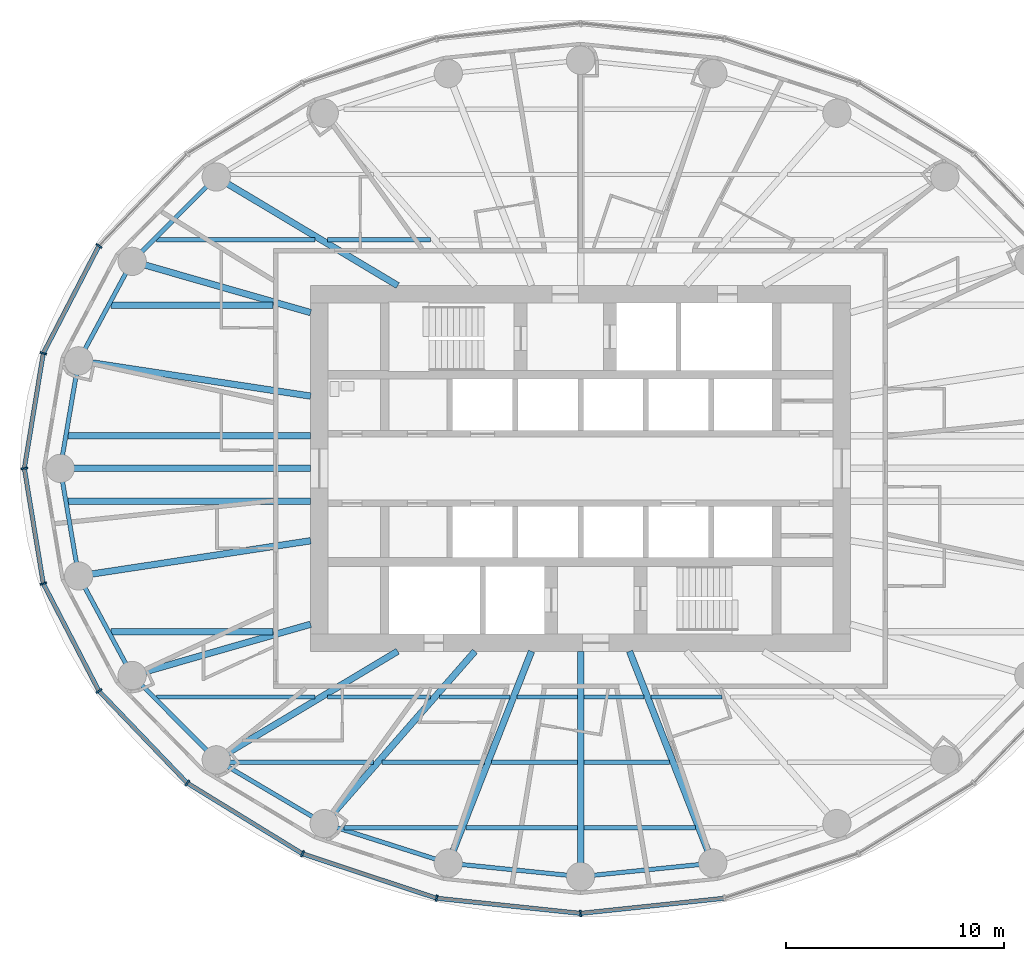
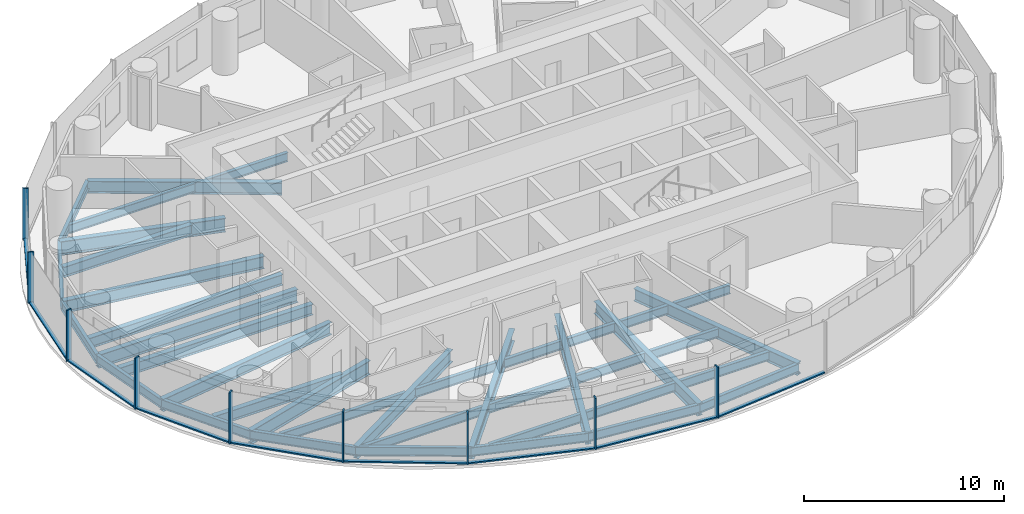
# One storey, part 2 of 14: 40 beams, 18 members, 3 elements without a shape of their own.
"""IFC4 building model written with IfcOpenShell, lengths in metres."""

import ifcopenshell
import ifcopenshell.guid

model = None  # the IFC model being written
_history = None  # IfcOwnerHistory: only IFC2X3 demands one
_inside = {}  # id of a spatial element -> (the spatial element, [elements in it])
_under = {}  # id of a project, library or spatial element -> (it, [spatial elements below it])
_declared = {}  # id of a project -> (the project, [libraries it declares])
_typed = {}  # id of a type object -> (the type object, [elements of that type])
_made_of = {}  # id of a material, layer set ... -> (it, [elements and type objects made of it])


def new_model(schema):
    """Start an empty IFC model of exactly this schema.

    Asked for "IFC4X3", IfcOpenShell would pick the latest addendum, in which some entities
    have other attributes; the version numbers below select the first issue.
    IFC2X3 requires an IfcOwnerHistory on every rooted entity: one is made here for all.
    """
    global model, _history
    if schema == "IFC4X3":
        model = ifcopenshell.file(schema_version=(4, 3, 0, 0))
    else:
        model = ifcopenshell.file(schema=schema)
    _inside.clear()
    _under.clear()
    _declared.clear()
    _typed.clear()
    _made_of.clear()
    _history = None
    if model.schema == "IFC2X3":
        org = make("IfcOrganization", Name="unknown")
        user = make(
            "IfcPersonAndOrganization",
            ThePerson=make("IfcPerson", FamilyName="unknown"),
            TheOrganization=org,
        )
        app = make(
            "IfcApplication",
            ApplicationDeveloper=org,
            Version="unknown",
            ApplicationFullName="unknown",
            ApplicationIdentifier="unknown",
        )
        _history = make(
            "IfcOwnerHistory",
            OwningUser=user,
            OwningApplication=app,
            ChangeAction="ADDED",
            CreationDate=0,
        )
    return model


def make(cls, **values):
    """One entity of the class cls with the attributes given. An attribute that is None is left unset."""
    return model.create_entity(
        cls, **{name: value for name, value in values.items() if value is not None}
    )


def rooted(cls, **values):
    """An entity with a GlobalId (a new one), such as an element, a storey or a relation."""
    return make(cls, GlobalId=ifcopenshell.guid.new(), OwnerHistory=_history, **values)


def si_unit(unit_type, name, prefix=None):
    """IfcSIUnit, for example si_unit("LENGTHUNIT", "METRE", prefix="MILLI")."""
    return make("IfcSIUnit", UnitType=unit_type, Prefix=prefix, Name=name)


def assignment(units):
    """IfcUnitAssignment: the units of a project."""
    return None if units is None else make("IfcUnitAssignment", Units=units)


def point(xyz):
    """IfcCartesianPoint."""
    return None if xyz is None else make("IfcCartesianPoint", Coordinates=xyz)


def direction(xyz):
    """IfcDirection."""
    return None if xyz is None else make("IfcDirection", DirectionRatios=xyz)


def frame(location, z_axis=None, x_axis=None):
    """IfcAxis2Placement3D, a coordinate frame: its origin and axes. An axis left out is left unset."""
    return make(
        "IfcAxis2Placement3D",
        Location=point(location),
        Axis=direction(z_axis),
        RefDirection=direction(x_axis),
    )


def frame_2d(location, x_axis=None):
    """IfcAxis2Placement2D, a coordinate frame in the plane: its origin and x axis."""
    return make(
        "IfcAxis2Placement2D", Location=point(location), RefDirection=direction(x_axis)
    )


def origin():
    """The frame at (0, 0, 0) with its axes left unset."""
    return frame((0.0, 0.0, 0.0))


def origin_2d():
    """The frame at (0, 0) in the plane with its x axis left unset."""
    return frame_2d((0.0, 0.0))


def place(relative_to, where):
    """IfcLocalPlacement: puts the frame where relative to a parent placement (None: the world)."""
    return make(
        "IfcLocalPlacement", PlacementRelTo=relative_to, RelativePlacement=where
    )


def context(
    kind, dimensions, precision=None, world=None, true_north=None, identifier=None
):
    """IfcGeometricRepresentationContext, for example the 3D "Model" context."""
    return make(
        "IfcGeometricRepresentationContext",
        ContextIdentifier=identifier,
        ContextType=kind,
        CoordinateSpaceDimension=dimensions,
        Precision=precision,
        WorldCoordinateSystem=world,
        TrueNorth=true_north,
    )


def subcontext(parent, identifier, kind, view, scale=None):
    """IfcGeometricRepresentationSubContext, for example "Body" below "Model"."""
    return make(
        "IfcGeometricRepresentationSubContext",
        ContextIdentifier=identifier,
        ContextType=kind,
        ParentContext=parent,
        TargetScale=scale,
        TargetView=view,
    )


def project(units=None, contexts=None):
    """IfcProject with its units and contexts."""
    return rooted(
        "IfcProject",
        Name="project",
        RepresentationContexts=contexts,
        UnitsInContext=assignment(units),
    )


def spatial(cls, under=None, at=None, **own):
    """A site, building, storey or space (cls), placed at a placement, below another one or the project."""
    s = rooted(cls, ObjectPlacement=at, **own)
    if under is not None:
        _under.setdefault(under.id(), (under, []))[1].append(s)
    return s


def profile(cls, at=None, kind="AREA", **sizes):
    """A parametric profile (cls). Its sizes go by their IFC names, for example OverallWidth=200.0."""
    return make(cls, ProfileType=kind, Position=at, **sizes)


def rectangle(**sizes):
    """IfcRectangleProfileDef."""
    return profile("IfcRectangleProfileDef", **sizes)


def i_section(**sizes):
    """IfcIShapeProfileDef."""
    return profile("IfcIShapeProfileDef", **sizes)


def extrude(swept, where, along, depth):
    """IfcExtrudedAreaSolid: the profile swept, set in the frame where, extruded along a direction by depth."""
    return make(
        "IfcExtrudedAreaSolid",
        SweptArea=swept,
        Position=where,
        ExtrudedDirection=direction(along),
        Depth=depth,
    )


def shape(context_of_items, identifier, shape_type, items):
    """IfcShapeRepresentation: the items that make up one representation, for example the "Body"."""
    return make(
        "IfcShapeRepresentation",
        ContextOfItems=context_of_items,
        RepresentationIdentifier=identifier,
        RepresentationType=shape_type,
        Items=items,
    )


def material(Name=None, Category=None):
    """IfcMaterial."""
    return make("IfcMaterial", Name=Name, Category=Category)


def material_profile(
    of_material, cross_section, Name=None, Category=None, Priority=None
):
    """IfcMaterialProfile: a cross section and its material."""
    return make(
        "IfcMaterialProfile",
        Name=Name,
        Material=of_material,
        Profile=cross_section,
        Priority=Priority,
        Category=Category,
    )


def profile_set(profiles, Name=None, composite=None):
    """IfcMaterialProfileSet."""
    return make(
        "IfcMaterialProfileSet",
        Name=Name,
        MaterialProfiles=profiles,
        CompositeProfile=composite,
    )


def made_of(thing, what):
    """Note that an element or type object is made of a material, layer set ...; save() writes the relation."""
    if what is not None:
        _made_of.setdefault(what.id(), (what, []))[1].append(thing)
    return thing


def type_object(cls, material=None, **own):
    """A type object (cls), such as IfcWallType, which elements share."""
    return made_of(rooted(cls, **own), material)


def element(
    cls,
    number,
    at=None,
    inside=None,
    cuts=None,
    type_object=None,
    material=None,
    context=None,
    identifier="Body",
    shape_type=None,
    held_by="IfcProductDefinitionShape",
    body=None,
    shapes=None,
    **own,
):
    """One element of the class cls, such as IfcWall. Its Tag is "e" and its number.

    at: its placement. inside: the storey or other place that contains it. cuts: it is an
    opening in that element (IfcRelVoidsElement). A single representation is given by context,
    identifier, shape_type and body (its items); several are given by shapes. held_by: the class
    of the entity that holds the representations. save() writes the other relations.
    """
    e = rooted(cls, Tag="e%d" % number, ObjectPlacement=at, **own)
    if body is not None:
        shapes = [shape(context, identifier, shape_type, body)]
    if shapes is not None:
        e.Representation = make(held_by, Representations=shapes)
    if inside is not None:
        _inside.setdefault(inside.id(), (inside, []))[1].append(e)
    if cuts is not None:
        rooted(
            "IfcRelVoidsElement", RelatingBuildingElement=cuts, RelatedOpeningElement=e
        )
    if type_object is not None:
        _typed.setdefault(type_object.id(), (type_object, []))[1].append(e)
    return made_of(e, material)


def aggregate(whole, parts):
    """IfcRelAggregates: a whole, such as a stair, and the parts it consists of."""
    return rooted("IfcRelAggregates", RelatingObject=whole, RelatedObjects=parts)


def save(model, path):
    """Write the relations noted so far, then the file.

    IfcRelAggregates (storeys below a building ...), IfcRelContainedInSpatialStructure (elements
    in a storey), IfcRelDefinesByType, IfcRelAssociatesMaterial and IfcRelDeclares: one each for
    every whole, place, type object, material and project.
    """
    for whole, parts in _under.values():
        aggregate(whole, parts)
    for where, things in _inside.values():
        rooted(
            "IfcRelContainedInSpatialStructure",
            RelatedElements=things,
            RelatingStructure=where,
        )
    for kind, things in _typed.values():
        rooted("IfcRelDefinesByType", RelatedObjects=things, RelatingType=kind)
    for what, things in _made_of.values():
        rooted("IfcRelAssociatesMaterial", RelatedObjects=things, RelatingMaterial=what)
    for by, libraries in _declared.values():
        rooted("IfcRelDeclares", RelatingContext=by, RelatedDefinitions=libraries)
    model.write(path)


model = new_model("IFC4")

# Units and contexts
model_context = context("Model", 3, precision=1e-05, world=origin(), true_north=direction((0.0, 1.0)))
body_context = subcontext(model_context, "Body", "Model", "MODEL_VIEW")
ifc_project = project(units=[si_unit("LENGTHUNIT", "METRE"), si_unit("AREAUNIT", "SQUARE_METRE"), si_unit("VOLUMEUNIT", "CUBIC_METRE"), si_unit("PLANEANGLEUNIT", "RADIAN"), si_unit("MASSUNIT", "GRAM", prefix="KILO")], contexts=[model_context])

# Site, building, storey
site_placement = place(None, origin())
site = spatial("IfcSite", under=ifc_project, at=site_placement, CompositionType="ELEMENT")
building_placement = place(site_placement, origin())
building = spatial("IfcBuilding", under=site, at=building_placement, Name="Hankou Lantern Tower", CompositionType="ELEMENT")
storey_placement = place(building_placement, frame((0.0, 0.0, 115.5)))
storey = spatial("IfcBuildingStorey", under=building, at=storey_placement, Name="L29", CompositionType="ELEMENT", Elevation=115.5)

# Beams
ifc_material_1 = material(Name="Steel Q355B", Category="steel")
ifc_material_profile_1 = material_profile(ifc_material_1, i_section(OverallWidth=0.199951171875, OverallDepth=0.550048828125, WebThickness=0.010009765625, FlangeThickness=0.01611328125, FilletRadius=0.012939453125, at=origin_2d()), Name="HN550x200x10x16")
ifc_profile_set_1 = profile_set([ifc_material_profile_1], Name="Steel Q355B")
beam_type_1 = type_object("IfcBeamType", Name="EB6 RING BEAM HN550x200x10x16", PredefinedType="SPANDREL", material=ifc_profile_set_1)
beam_1_placement = place(storey_placement, frame((-16.73388671875, 13.38720703125, -0.455078125), z_axis=(-0.705945468625, -0.708266189599, 0.0), x_axis=(0.708266189599, -0.705945468625, 0.0)))
element("IfcBeam", 1, at=beam_1_placement, inside=storey, type_object=beam_type_1, Name="Ring beam R10-R11 L29", PredefinedType="SPANDREL", context=body_context, shape_type="SweptSolid", body=[
    extrude(i_section(OverallWidth=0.199951171875, OverallDepth=0.550048828125, WebThickness=0.010009765625, FlangeThickness=0.01611328125, FilletRadius=0.012939453125, at=origin_2d()), origin(), (0.0, 0.0, 1.0), 5.470458984375),
])
beam_2_placement = place(storey_placement, frame((-20.595703125, 9.5126953125, -0.455078125), z_axis=(-0.473824901673, -0.880619079145, 0.0), x_axis=(0.880619079145, -0.473824901673, 0.0)))
element("IfcBeam", 2, at=beam_2_placement, inside=storey, type_object=beam_type_1, Name="Ring beam R11-R12 L29", PredefinedType="SPANDREL", context=body_context, shape_type="SweptSolid", body=[
    extrude(i_section(OverallWidth=0.199951171875, OverallDepth=0.550048828125, WebThickness=0.010009765625, FlangeThickness=0.01611328125, FilletRadius=0.012939453125, at=origin_2d()), origin(), (0.0, 0.0, 1.0), 5.190185546875),
])
for number, where, z_axis, x_axis, name in (
    (3, (-23.054931640625, 4.942138671875, -0.455078125), (-0.168527258545, -0.985696993567, 0.0), (0.985696993567, -0.168527258545, 0.0), "Ring beam R12-R13 L29"),
    (4, (-23.89990234375, 0.0, -0.455078125), (0.168527258545, -0.985696993567, 0.0), (0.985696993567, 0.168527258545, 0.0), "Ring beam R13-R14 L29"),
):
    element("IfcBeam", number, at=place(storey_placement, frame(where, z_axis=z_axis, x_axis=x_axis)), inside=storey, type_object=beam_type_1, Name=name, PredefinedType="SPANDREL", context=body_context, shape_type="SweptSolid", body=[
        extrude(i_section(OverallWidth=0.199951171875, OverallDepth=0.550048828125, WebThickness=0.010009765625, FlangeThickness=0.01611328125, FilletRadius=0.012939453125, at=origin_2d()), origin(), (0.0, 0.0, 1.0), 5.013916015625),
    ])
beam_3_placement = place(storey_placement, frame((-23.054931640625, -4.942138671875, -0.455078125), z_axis=(0.473824901673, -0.880619079145, 0.0), x_axis=(0.880619079145, 0.473824901673, 0.0)))
element("IfcBeam", 5, at=beam_3_placement, inside=storey, type_object=beam_type_1, Name="Ring beam R14-R15 L29", PredefinedType="SPANDREL", context=body_context, shape_type="SweptSolid", body=[
    extrude(i_section(OverallWidth=0.199951171875, OverallDepth=0.550048828125, WebThickness=0.010009765625, FlangeThickness=0.01611328125, FilletRadius=0.012939453125, at=origin_2d()), origin(), (0.0, 0.0, 1.0), 5.190185546875),
])
beam_4_placement = place(storey_placement, frame((-20.595703125, -9.5126953125, -0.455078125), z_axis=(0.705945468625, -0.708266189599, 0.0), x_axis=(0.708266189599, 0.705945468625, 0.0)))
element("IfcBeam", 6, at=beam_4_placement, inside=storey, type_object=beam_type_1, Name="Ring beam R15-R16 L29", PredefinedType="SPANDREL", context=body_context, shape_type="SweptSolid", body=[
    extrude(i_section(OverallWidth=0.199951171875, OverallDepth=0.550048828125, WebThickness=0.010009765625, FlangeThickness=0.01611328125, FilletRadius=0.012939453125, at=origin_2d()), origin(), (0.0, 0.0, 1.0), 5.470458984375),
])
beam_5_placement = place(storey_placement, frame((-16.73388671875, -13.38720703125, -0.455078125), z_axis=(0.860988974188, -0.508623619513, 0.0), x_axis=(0.508623619513, 0.860988974188, 0.0)))
element("IfcBeam", 7, at=beam_5_placement, inside=storey, type_object=beam_type_1, Name="Ring beam R16-R17 L29", PredefinedType="SPANDREL", context=body_context, shape_type="SweptSolid", body=[
    extrude(i_section(OverallWidth=0.199951171875, OverallDepth=0.550048828125, WebThickness=0.010009765625, FlangeThickness=0.01611328125, FilletRadius=0.012939453125, at=origin_2d()), origin(), (0.0, 0.0, 1.0), 5.759033203125),
])
beam_6_placement = place(storey_placement, frame((-11.775390625, -16.31640625, -0.455078125), z_axis=(0.952731090451, -0.303814860215, 0.0), x_axis=(0.303814860215, 0.952731090451, 0.0)))
element("IfcBeam", 8, at=beam_6_placement, inside=storey, type_object=beam_type_1, Name="Ring beam R17-R18 L29", PredefinedType="SPANDREL", context=body_context, shape_type="SweptSolid", body=[
    extrude(i_section(OverallWidth=0.199951171875, OverallDepth=0.550048828125, WebThickness=0.010009765625, FlangeThickness=0.01611328125, FilletRadius=0.012939453125, at=origin_2d()), origin(), (0.0, 0.0, 1.0), 5.984375),
])
for number, where, z_axis, x_axis, name in (
    (9, (-6.073974609375, -18.134521484375, -0.455078125), (0.994905271594, -0.100814188259, 0.0), (0.100814188259, 0.994905271594, 0.0), "Ring beam R18-R19 L29"),
    (10, (0.0, -18.75, -0.455078125), (0.994905271594, 0.100814188259, 0.0), (-0.100814188259, 0.994905271594, 0.0), "Ring beam R19-R20 L29"),
):
    element("IfcBeam", number, at=place(storey_placement, frame(where, z_axis=z_axis, x_axis=x_axis)), inside=storey, type_object=beam_type_1, Name=name, PredefinedType="SPANDREL", context=body_context, shape_type="SweptSolid", body=[
        extrude(i_section(OverallWidth=0.199951171875, OverallDepth=0.550048828125, WebThickness=0.010009765625, FlangeThickness=0.01611328125, FilletRadius=0.012939453125, at=origin_2d()), origin(), (0.0, 0.0, 1.0), 6.10498046875),
    ])

# Curtain wall, members
ifc_material_2 = material(Name="Glass, dark grey tinted laminated", Category="glass")
curtain_wall_type = type_object("IfcCurtainWallType", Name="CWB OUTER SKIN MID-RISE", PredefinedType="USERDEFINED", material=ifc_material_2)
curtain_wall_1_placement = place(storey_placement, origin())
curtain_wall_1 = element("IfcCurtainWall", 11, at=curtain_wall_1_placement, inside=storey, type_object=curtain_wall_type, Name="CWB L29 OS2", ObjectType="OUTER SKIN MID-RISE", PredefinedType="USERDEFINED")
ifc_material_3 = material(Name="Aluminium, black anodised", Category="aluminium")
ifc_material_profile_2 = material_profile(ifc_material_3, rectangle(XDim=0.080078125, YDim=0.300048828125, at=origin_2d()), Name="MU1 80X300")
ifc_profile_set_2 = profile_set([ifc_material_profile_2], Name="Aluminium, black anodised")
member_type_1 = type_object("IfcMemberType", Name="MU1 OUTER SKIN MULLION 80X300", PredefinedType="MULLION", material=ifc_profile_set_2)
member_1_placement = place(storey_placement, frame((-22.126953125, 10.219970703125, 0.0), z_axis=(0.0, 0.0, 1.0), x_axis=(-0.585205735974, -0.810884854084, 0.0)))
member_1 = element("IfcMember", 12, at=member_1_placement, type_object=member_type_1, Name="CWB mullion 5", PredefinedType="MULLION", context=body_context, shape_type="SweptSolid", body=[
    extrude(rectangle(XDim=0.080078125, YDim=0.300048828125, at=origin_2d()), origin(), (0.0, 0.0, 1.0), 3.1201171875),
])
member_2_placement = place(storey_placement, frame((-24.679443359375, 5.290283203125, 0.0), z_axis=(0.0, 0.0, 1.0), x_axis=(-0.317595577365, -0.94822626479, 0.0)))
member_2 = element("IfcMember", 13, at=member_2_placement, type_object=member_type_1, Name="CWB mullion 6", PredefinedType="MULLION", context=body_context, shape_type="SweptSolid", body=[
    extrude(rectangle(XDim=0.080078125, YDim=0.300048828125, at=origin_2d()), origin(), (0.0, 0.0, 1.0), 3.1201171875),
])

curtain_wall_2_placement = place(storey_placement, origin())
curtain_wall_2 = element("IfcCurtainWall", 14, at=curtain_wall_2_placement, inside=storey, type_object=curtain_wall_type, Name="CWB L29 OS3", ObjectType="OUTER SKIN MID-RISE", PredefinedType="USERDEFINED")
member_3_placement = place(storey_placement, frame((-25.550048828125, 0.0, 0.0), z_axis=(0.0, 0.0, 1.0), x_axis=(0.162381515188, -0.986728049427, 0.0)))
member_3 = element("IfcMember", 15, at=member_3_placement, type_object=member_type_1, Name="CWB mullion 1", PredefinedType="MULLION", context=body_context, shape_type="SweptSolid", body=[
    extrude(rectangle(XDim=0.080078125, YDim=0.300048828125, at=origin_2d()), origin(), (0.0, 0.0, 1.0), 3.1201171875),
])
member_4_placement = place(storey_placement, frame((-24.679443359375, -5.290283203125, 0.0), z_axis=(0.0, 0.0, 1.0), x_axis=(0.317595577365, -0.94822626479, 0.0)))
member_4 = element("IfcMember", 16, at=member_4_placement, type_object=member_type_1, Name="CWB mullion 2", PredefinedType="MULLION", context=body_context, shape_type="SweptSolid", body=[
    extrude(rectangle(XDim=0.080078125, YDim=0.300048828125, at=origin_2d()), origin(), (0.0, 0.0, 1.0), 3.1201171875),
])
member_5_placement = place(storey_placement, frame((-22.126953125, -10.219970703125, 0.0), z_axis=(0.0, 0.0, 1.0), x_axis=(0.585205735974, -0.810884854084, 0.0)))
member_5 = element("IfcMember", 17, at=member_5_placement, type_object=member_type_1, Name="CWB mullion 3", PredefinedType="MULLION", context=body_context, shape_type="SweptSolid", body=[
    extrude(rectangle(XDim=0.080078125, YDim=0.300048828125, at=origin_2d()), origin(), (0.0, 0.0, 1.0), 3.1201171875),
])
member_6_placement = place(storey_placement, frame((-18.066650390625, -14.453369140625, 0.0), z_axis=(0.0, 0.0, 1.0), x_axis=(0.780868809444, -0.624695047553, 0.0)))
member_6 = element("IfcMember", 18, at=member_6_placement, type_object=member_type_1, Name="CWB mullion 4", PredefinedType="MULLION", context=body_context, shape_type="SweptSolid", body=[
    extrude(rectangle(XDim=0.080078125, YDim=0.300048828125, at=origin_2d()), origin(), (0.0, 0.0, 1.0), 3.1201171875),
])
member_7_placement = place(storey_placement, frame((-12.77490234375, -17.70166015625, 0.0), z_axis=(0.0, 0.0, 1.0), x_axis=(0.907841299004, -0.419313934686, 0.0)))
member_7 = element("IfcMember", 19, at=member_7_placement, type_object=member_type_1, Name="CWB mullion 5", PredefinedType="MULLION", context=body_context, shape_type="SweptSolid", body=[
    extrude(rectangle(XDim=0.080078125, YDim=0.300048828125, at=origin_2d()), origin(), (0.0, 0.0, 1.0), 3.1201171875),
])
member_8_placement = place(storey_placement, frame((-6.61279296875, -19.743408203125, 0.0), z_axis=(0.0, 0.0, 1.0), x_axis=(0.977787659625, -0.209597931016, 0.0)))
member_8 = element("IfcMember", 20, at=member_8_placement, type_object=member_type_1, Name="CWB mullion 6", PredefinedType="MULLION", context=body_context, shape_type="SweptSolid", body=[
    extrude(rectangle(XDim=0.080078125, YDim=0.300048828125, at=origin_2d()), origin(), (0.0, 0.0, 1.0), 3.1201171875),
])

# Curtain wall, member
curtain_wall_3_placement = place(storey_placement, origin())
curtain_wall_3 = element("IfcCurtainWall", 21, at=curtain_wall_3_placement, inside=storey, type_object=curtain_wall_type, Name="CWB L29 OS4", ObjectType="OUTER SKIN MID-RISE", PredefinedType="USERDEFINED")
member_9_placement = place(storey_placement, frame((0.0, -20.43994140625, 0.0), z_axis=(0.0, 0.0, 1.0), x_axis=(0.994499359107, 0.104742659579, 0.0)))
member_9 = element("IfcMember", 22, at=member_9_placement, type_object=member_type_1, Name="CWB mullion 1", PredefinedType="MULLION", context=body_context, shape_type="SweptSolid", body=[
    extrude(rectangle(XDim=0.080078125, YDim=0.300048828125, at=origin_2d()), origin(), (0.0, 0.0, 1.0), 3.1201171875),
])

# Beams
ifc_material_4 = material(Name="Steel Q355B", Category="steel")
ifc_material_profile_3 = material_profile(ifc_material_4, i_section(OverallWidth=0.300048828125, OverallDepth=0.75, WebThickness=0.012939453125, FlangeThickness=0.02392578125, FilletRadius=0.01806640625, at=origin_2d()), Name="HN750x300x13x24")
ifc_profile_set_3 = profile_set([ifc_material_profile_3], Name="Steel Q355B")
beam_type_2 = type_object("IfcBeamType", Name="RB10 RADIAL BEAM HN750x300x13x24", PredefinedType="BEAM", material=ifc_profile_set_3)
beam_7_placement = place(storey_placement, frame((-8.39990234375, 8.39990234375, -0.554931640625), z_axis=(-0.858086776551, 0.513504706802, 0.0), x_axis=(-0.513504706802, -0.858086776551, 0.0)))
element("IfcBeam", 23, at=beam_7_placement, inside=storey, type_object=beam_type_2, Name="Radial beam R10 L29", PredefinedType="BEAM", context=body_context, shape_type="SweptSolid", body=[
    extrude(i_section(OverallWidth=0.300048828125, OverallDepth=0.75, WebThickness=0.012939453125, FlangeThickness=0.02392578125, FilletRadius=0.01806640625, at=origin_2d()), origin(), (0.0, 0.0, 1.0), 9.71240234375),
])
for number, where, z_axis, x_axis, name in (
    (24, (-12.39990234375, 3.322509765625, -0.554931640625), (-0.988643506875, 0.150279793429, 0.0), (-0.150279793429, -0.988643506875, 0.0), "Radial beam R12 L29"),
    (25, (-12.39990234375, -3.322509765625, -0.554931640625), (-0.988643506875, -0.150279793429, 0.0), (0.150279793429, -0.988643506875, 0.0), "Radial beam R14 L29"),
):
    element("IfcBeam", number, at=place(storey_placement, frame(where, z_axis=z_axis, x_axis=x_axis)), inside=storey, type_object=beam_type_2, Name=name, PredefinedType="BEAM", context=body_context, shape_type="SweptSolid", body=[
        extrude(i_section(OverallWidth=0.300048828125, OverallDepth=0.75, WebThickness=0.012939453125, FlangeThickness=0.02392578125, FilletRadius=0.01806640625, at=origin_2d()), origin(), (0.0, 0.0, 1.0), 10.77734375),
    ])
beam_8_placement = place(storey_placement, frame((-8.39990234375, -8.39990234375, -0.554931640625), z_axis=(-0.858086776551, -0.513504706802, 0.0), x_axis=(0.513504706802, -0.858086776551, 0.0)))
element("IfcBeam", 26, at=beam_8_placement, inside=storey, type_object=beam_type_2, Name="Radial beam R16 L29", PredefinedType="BEAM", context=body_context, shape_type="SweptSolid", body=[
    extrude(i_section(OverallWidth=0.300048828125, OverallDepth=0.75, WebThickness=0.012939453125, FlangeThickness=0.02392578125, FilletRadius=0.01806640625, at=origin_2d()), origin(), (0.0, 0.0, 1.0), 9.71240234375),
])
beam_9_placement = place(storey_placement, frame((-4.849853515625, -8.39990234375, -0.554931640625), z_axis=(-0.658429014446, -0.752642832249, 0.0), x_axis=(0.752642832249, -0.658429014446, 0.0)))
element("IfcBeam", 27, at=beam_9_placement, inside=storey, type_object=beam_type_2, Name="Radial beam R17 L29", PredefinedType="BEAM", context=body_context, shape_type="SweptSolid", body=[
    extrude(i_section(OverallWidth=0.300048828125, OverallDepth=0.75, WebThickness=0.012939453125, FlangeThickness=0.02392578125, FilletRadius=0.01806640625, at=origin_2d()), origin(), (0.0, 0.0, 1.0), 10.518310546875),
])
beam_10_placement = place(storey_placement, frame((-2.250732421875, -8.39990234375, -0.554931640625), z_axis=(-0.365563535437, -0.930786388791, 0.0), x_axis=(0.930786388791, -0.365563535437, 0.0)))
element("IfcBeam", 28, at=beam_10_placement, inside=storey, type_object=beam_type_2, Name="Radial beam R18 L29", PredefinedType="BEAM", context=body_context, shape_type="SweptSolid", body=[
    extrude(i_section(OverallWidth=0.300048828125, OverallDepth=0.75, WebThickness=0.012939453125, FlangeThickness=0.02392578125, FilletRadius=0.01806640625, at=origin_2d()), origin(), (0.0, 0.0, 1.0), 10.45849609375),
])
beam_11_placement = place(storey_placement, frame((0.0, -8.39990234375, -0.554931640625), z_axis=(0.0, -1.0, 0.0), x_axis=(1.0, 0.0, 0.0)))
element("IfcBeam", 29, at=beam_11_placement, inside=storey, type_object=beam_type_2, Name="Radial beam R19 L29", PredefinedType="BEAM", context=body_context, shape_type="SweptSolid", body=[
    extrude(i_section(OverallWidth=0.300048828125, OverallDepth=0.75, WebThickness=0.012939453125, FlangeThickness=0.02392578125, FilletRadius=0.01806640625, at=origin_2d()), origin(), (0.0, 0.0, 1.0), 10.35009765625),
])
beam_12_placement = place(storey_placement, frame((2.250732421875, -8.39990234375, -0.554931640625), z_axis=(0.365563535437, -0.930786388791, 0.0), x_axis=(0.930786388791, 0.365563535437, 0.0)))
element("IfcBeam", 30, at=beam_12_placement, inside=storey, type_object=beam_type_2, Name="Radial beam R20 L29", PredefinedType="BEAM", context=body_context, shape_type="SweptSolid", body=[
    extrude(i_section(OverallWidth=0.300048828125, OverallDepth=0.75, WebThickness=0.012939453125, FlangeThickness=0.02392578125, FilletRadius=0.01806640625, at=origin_2d()), origin(), (0.0, 0.0, 1.0), 10.45849609375),
])
ifc_material_5 = material(Name="Steel Q355B", Category="steel")
ifc_material_profile_4 = material_profile(ifc_material_5, i_section(OverallWidth=0.300048828125, OverallDepth=0.800048828125, WebThickness=0.013916015625, FlangeThickness=0.02587890625, FilletRadius=0.01806640625, at=origin_2d()), Name="HN800x300x14x26")
ifc_profile_set_4 = profile_set([ifc_material_profile_4], Name="Steel Q355B")
beam_type_3 = type_object("IfcBeamType", Name="RB11 RADIAL BEAM HN800x300x14x26", PredefinedType="BEAM", material=ifc_profile_set_4)
beam_13_placement = place(storey_placement, frame((-12.39990234375, 0.0, -0.580078125), z_axis=(-1.0, 0.0, 0.0), x_axis=(0.0, -1.0, 0.0)))
element("IfcBeam", 31, at=beam_13_placement, inside=storey, type_object=beam_type_3, Name="Radial beam R13 L29", PredefinedType="BEAM", context=body_context, shape_type="SweptSolid", body=[
    extrude(i_section(OverallWidth=0.300048828125, OverallDepth=0.800048828125, WebThickness=0.013916015625, FlangeThickness=0.02587890625, FilletRadius=0.01806640625, at=origin_2d()), origin(), (0.0, 0.0, 1.0), 11.5),
])
ifc_material_6 = material(Name="Steel Q355B", Category="steel")
ifc_material_profile_5 = material_profile(ifc_material_6, i_section(OverallWidth=0.300048828125, OverallDepth=0.85009765625, WebThickness=0.01611328125, FlangeThickness=0.027099609375, FilletRadius=0.01806640625, at=origin_2d()), Name="HN850x300x16x27")
ifc_profile_set_5 = profile_set([ifc_material_profile_5], Name="Steel Q355B")
beam_type_4 = type_object("IfcBeamType", Name="RB12 RADIAL BEAM HN850x300x16x27", PredefinedType="BEAM", material=ifc_profile_set_5)
for number, where, z_axis, x_axis, name in (
    (32, (-12.39990234375, 7.1591796875, -0.60498046875), (-0.961155741911, 0.276006593745, 0.0), (-0.276006593745, -0.961155741911, 0.0), "Radial beam R11 L29"),
    (33, (-12.39990234375, -7.1591796875, -0.60498046875), (-0.961155741911, -0.276006593745, 0.0), (0.276006593745, -0.961155741911, 0.0), "Radial beam R15 L29"),
):
    element("IfcBeam", number, at=place(storey_placement, frame(where, z_axis=z_axis, x_axis=x_axis)), inside=storey, type_object=beam_type_4, Name=name, PredefinedType="BEAM", context=body_context, shape_type="SweptSolid", body=[
        extrude(i_section(OverallWidth=0.300048828125, OverallDepth=0.85009765625, WebThickness=0.01611328125, FlangeThickness=0.027099609375, FilletRadius=0.01806640625, at=origin_2d()), origin(), (0.0, 0.0, 1.0), 8.527099609375),
    ])
ifc_material_7 = material(Name="Steel Q355B", Category="steel")
ifc_material_profile_6 = material_profile(ifc_material_7, i_section(OverallWidth=0.199951171875, OverallDepth=0.550048828125, WebThickness=0.010009765625, FlangeThickness=0.01611328125, FilletRadius=0.012939453125, at=origin_2d()), Name="HN550x200x10x16")
ifc_profile_set_6 = profile_set([ifc_material_profile_6], Name="Steel Q355B")
beam_type_5 = type_object("IfcBeamType", Name="SB6 SECONDARY BEAM HN550x200x10x16", PredefinedType="JOIST", material=ifc_profile_set_6)
beam_14_placement = place(storey_placement, frame((-10.8701171875, -16.5, -0.455078125), z_axis=(1.0, 0.0, 0.0), x_axis=(0.0, 1.0, 0.0)))
element("IfcBeam", 34, at=beam_14_placement, inside=storey, type_object=beam_type_5, Name="Floor joist J001 L29", PredefinedType="JOIST", context=body_context, shape_type="SweptSolid", body=[
    extrude(i_section(OverallWidth=0.199951171875, OverallDepth=0.550048828125, WebThickness=0.010009765625, FlangeThickness=0.01611328125, FilletRadius=0.012939453125, at=origin_2d()), origin(), (0.0, 0.0, 1.0), 5.27685546875),
])
for number, where, z_axis, x_axis, name in (
    (35, (-5.270751953125, -16.5, -0.455078125), (1.0, 0.0, 0.0), (0.0, 1.0, 0.0), "Floor joist J002 L29"),
    (36, (0.14990234375, -16.5, -0.455078125), (1.0, 0.0, 0.0), (0.0, 1.0, 0.0), "Floor joist J003 L29"),
):
    element("IfcBeam", number, at=place(storey_placement, frame(where, z_axis=z_axis, x_axis=x_axis)), inside=storey, type_object=beam_type_5, Name=name, PredefinedType="JOIST", context=body_context, shape_type="SweptSolid", body=[
        extrude(i_section(OverallWidth=0.199951171875, OverallDepth=0.550048828125, WebThickness=0.010009765625, FlangeThickness=0.01611328125, FilletRadius=0.012939453125, at=origin_2d()), origin(), (0.0, 0.0, 1.0), 5.120849609375),
    ])
beam_15_placement = place(storey_placement, frame((-16.34619140625, -13.5, -0.455078125), z_axis=(1.0, 0.0, 0.0), x_axis=(0.0, 1.0, 0.0)))
element("IfcBeam", 37, at=beam_15_placement, inside=storey, type_object=beam_type_5, Name="Floor joist J005 L29", PredefinedType="JOIST", context=body_context, shape_type="SweptSolid", body=[
    extrude(i_section(OverallWidth=0.199951171875, OverallDepth=0.550048828125, WebThickness=0.010009765625, FlangeThickness=0.01611328125, FilletRadius=0.012939453125, at=origin_2d()), origin(), (0.0, 0.0, 1.0), 6.83544921875),
])
beam_16_placement = place(storey_placement, frame((-9.112060546875, -13.5, -0.455078125), z_axis=(1.0, 0.0, 0.0), x_axis=(0.0, 1.0, 0.0)))
element("IfcBeam", 38, at=beam_16_placement, inside=storey, type_object=beam_type_5, Name="Floor joist J006 L29", PredefinedType="JOIST", context=body_context, shape_type="SweptSolid", body=[
    extrude(i_section(OverallWidth=0.199951171875, OverallDepth=0.550048828125, WebThickness=0.010009765625, FlangeThickness=0.01611328125, FilletRadius=0.012939453125, at=origin_2d()), origin(), (0.0, 0.0, 1.0), 4.697021484375),
])
for number, where, z_axis, x_axis, name in (
    (39, (-4.092529296875, -13.5, -0.455078125), (1.0, 0.0, 0.0), (0.0, 1.0, 0.0), "Floor joist J007 L29"),
    (40, (0.14990234375, -13.5, -0.455078125), (1.0, 0.0, 0.0), (0.0, 1.0, 0.0), "Floor joist J008 L29"),
):
    element("IfcBeam", number, at=place(storey_placement, frame(where, z_axis=z_axis, x_axis=x_axis)), inside=storey, type_object=beam_type_5, Name=name, PredefinedType="JOIST", context=body_context, shape_type="SweptSolid", body=[
        extrude(i_section(OverallWidth=0.199951171875, OverallDepth=0.550048828125, WebThickness=0.010009765625, FlangeThickness=0.01611328125, FilletRadius=0.012939453125, at=origin_2d()), origin(), (0.0, 0.0, 1.0), 3.942626953125),
    ])
beam_17_placement = place(storey_placement, frame((-19.470458984375, -10.5, -0.455078125), z_axis=(1.0, 0.0, 0.0), x_axis=(0.0, 1.0, 0.0)))
element("IfcBeam", 41, at=beam_17_placement, inside=storey, type_object=beam_type_5, Name="Floor joist J011 L29", PredefinedType="JOIST", context=body_context, shape_type="SweptSolid", body=[
    extrude(i_section(OverallWidth=0.199951171875, OverallDepth=0.550048828125, WebThickness=0.010009765625, FlangeThickness=0.01611328125, FilletRadius=0.012939453125, at=origin_2d()), origin(), (0.0, 0.0, 1.0), 7.26904296875),
])
beam_18_placement = place(storey_placement, frame((-11.6171875, -10.5, -0.455078125), z_axis=(1.0, 0.0, 0.0), x_axis=(0.0, 1.0, 0.0)))
element("IfcBeam", 42, at=beam_18_placement, inside=storey, type_object=beam_type_5, Name="Floor joist J012 L29", PredefinedType="JOIST", context=body_context, shape_type="SweptSolid", body=[
    extrude(i_section(OverallWidth=0.199951171875, OverallDepth=0.550048828125, WebThickness=0.010009765625, FlangeThickness=0.01611328125, FilletRadius=0.012939453125, at=origin_2d()), origin(), (0.0, 0.0, 1.0), 4.73095703125),
])
beam_19_placement = place(storey_placement, frame((-6.487548828125, -10.5, -0.455078125), z_axis=(1.0, 0.0, 0.0), x_axis=(0.0, 1.0, 0.0)))
element("IfcBeam", 43, at=beam_19_placement, inside=storey, type_object=beam_type_5, Name="Floor joist J013 L29", PredefinedType="JOIST", context=body_context, shape_type="SweptSolid", body=[
    extrude(i_section(OverallWidth=0.199951171875, OverallDepth=0.550048828125, WebThickness=0.010009765625, FlangeThickness=0.01611328125, FilletRadius=0.012939453125, at=origin_2d()), origin(), (0.0, 0.0, 1.0), 3.2509765625),
])
for number, where, z_axis, x_axis, name in (
    (44, (-2.914306640625, -10.5, -0.455078125), (1.0, 0.0, 0.0), (0.0, 1.0, 0.0), "Floor joist J014 L29"),
    (45, (0.14990234375, -10.5, -0.455078125), (1.0, 0.0, 0.0), (0.0, 1.0, 0.0), "Floor joist J015 L29"),
):
    element("IfcBeam", number, at=place(storey_placement, frame(where, z_axis=z_axis, x_axis=x_axis)), inside=storey, type_object=beam_type_5, Name=name, PredefinedType="JOIST", context=body_context, shape_type="SweptSolid", body=[
        extrude(i_section(OverallWidth=0.199951171875, OverallDepth=0.550048828125, WebThickness=0.010009765625, FlangeThickness=0.01611328125, FilletRadius=0.012939453125, at=origin_2d()), origin(), (0.0, 0.0, 1.0), 2.764404296875),
    ])
beam_20_placement = place(storey_placement, frame((3.236572265625, -10.5, -0.455078125), z_axis=(1.0, 0.0, 0.0), x_axis=(0.0, 1.0, 0.0)))
element("IfcBeam", 46, at=beam_20_placement, inside=storey, type_object=beam_type_5, Name="Floor joist J016 L29", PredefinedType="JOIST", context=body_context, shape_type="SweptSolid", body=[
    extrude(i_section(OverallWidth=0.199951171875, OverallDepth=0.550048828125, WebThickness=0.010009765625, FlangeThickness=0.01611328125, FilletRadius=0.012939453125, at=origin_2d()), origin(), (0.0, 0.0, 1.0), 3.2509765625),
])
beam_21_placement = place(storey_placement, frame((-19.470458984375, 10.5, -0.455078125), z_axis=(1.0, 0.0, 0.0), x_axis=(0.0, 1.0, 0.0)))
element("IfcBeam", 47, at=beam_21_placement, inside=storey, type_object=beam_type_5, Name="Floor joist J035 L29", PredefinedType="JOIST", context=body_context, shape_type="SweptSolid", body=[
    extrude(i_section(OverallWidth=0.199951171875, OverallDepth=0.550048828125, WebThickness=0.010009765625, FlangeThickness=0.01611328125, FilletRadius=0.012939453125, at=origin_2d()), origin(), (0.0, 0.0, 1.0), 7.26904296875),
])
beam_22_placement = place(storey_placement, frame((-11.6171875, 10.5, -0.455078125), z_axis=(1.0, 0.0, 0.0), x_axis=(0.0, 1.0, 0.0)))
element("IfcBeam", 48, at=beam_22_placement, inside=storey, type_object=beam_type_5, Name="Floor joist J036 L29", PredefinedType="JOIST", context=body_context, shape_type="SweptSolid", body=[
    extrude(i_section(OverallWidth=0.199951171875, OverallDepth=0.550048828125, WebThickness=0.010009765625, FlangeThickness=0.01611328125, FilletRadius=0.012939453125, at=origin_2d()), origin(), (0.0, 0.0, 1.0), 4.73095703125),
])
ifc_material_8 = material(Name="Steel Q355B", Category="steel")
ifc_material_profile_7 = material_profile(ifc_material_8, i_section(OverallWidth=0.300048828125, OverallDepth=0.64990234375, WebThickness=0.010986328125, FlangeThickness=0.01708984375, FilletRadius=0.01806640625, at=origin_2d()), Name="HN650x300x11x17")
ifc_profile_set_7 = profile_set([ifc_material_profile_7], Name="Steel Q355B")
beam_type_6 = type_object("IfcBeamType", Name="SB8 SECONDARY BEAM HN650x300x11x17", PredefinedType="JOIST", material=ifc_profile_set_7)
beam_23_placement = place(storey_placement, frame((-21.56494140625, -7.5, -0.5048828125), z_axis=(1.0, 0.0, 0.0), x_axis=(0.0, 1.0, 0.0)))
element("IfcBeam", 49, at=beam_23_placement, inside=storey, type_object=beam_type_6, Name="Floor joist J019 L29", PredefinedType="JOIST", context=body_context, shape_type="SweptSolid", body=[
    extrude(i_section(OverallWidth=0.300048828125, OverallDepth=0.64990234375, WebThickness=0.010986328125, FlangeThickness=0.01708984375, FilletRadius=0.01806640625, at=origin_2d()), origin(), (0.0, 0.0, 1.0), 7.4345703125),
])
for number, where, z_axis, x_axis, name in (
    (50, (-23.5419921875, -1.5, -0.5048828125), (1.0, 0.0, 0.0), (0.0, 1.0, 0.0), "Floor joist J025 L29"),
    (51, (-23.5419921875, 1.5, -0.5048828125), (1.0, 0.0, 0.0), (0.0, 1.0, 0.0), "Floor joist J027 L29"),
):
    element("IfcBeam", number, at=place(storey_placement, frame(where, z_axis=z_axis, x_axis=x_axis)), inside=storey, type_object=beam_type_6, Name=name, PredefinedType="JOIST", context=body_context, shape_type="SweptSolid", body=[
        extrude(i_section(OverallWidth=0.300048828125, OverallDepth=0.64990234375, WebThickness=0.010986328125, FlangeThickness=0.01708984375, FilletRadius=0.01806640625, at=origin_2d()), origin(), (0.0, 0.0, 1.0), 11.14208984375),
    ])
beam_24_placement = place(storey_placement, frame((-21.56494140625, 7.5, -0.5048828125), z_axis=(1.0, 0.0, 0.0), x_axis=(0.0, 1.0, 0.0)))
element("IfcBeam", 52, at=beam_24_placement, inside=storey, type_object=beam_type_6, Name="Floor joist J033 L29", PredefinedType="JOIST", context=body_context, shape_type="SweptSolid", body=[
    extrude(i_section(OverallWidth=0.300048828125, OverallDepth=0.64990234375, WebThickness=0.010986328125, FlangeThickness=0.01708984375, FilletRadius=0.01806640625, at=origin_2d()), origin(), (0.0, 0.0, 1.0), 7.4345703125),
])

# Member
ifc_material_9 = material(Name="Aluminium, black anodised", Category="aluminium")
ifc_material_profile_8 = material_profile(ifc_material_9, rectangle(XDim=0.199951171875, YDim=0.080078125, at=origin_2d()), Name="TR1 200X80")
ifc_profile_set_8 = profile_set([ifc_material_profile_8], Name="Aluminium, black anodised")
member_type_2 = type_object("IfcMemberType", Name="TR1 OUTER SKIN TRANSOM 200X80", PredefinedType="USERDEFINED", material=ifc_profile_set_8)
member_10_placement = place(storey_placement, frame((-22.145263671875, 10.1845703125, 0.0400390625), z_axis=(-0.459805240543, -0.888019786249, 0.0), x_axis=(0.888019786249, -0.459805240543, 0.0)))
member_10 = element("IfcMember", 53, at=member_10_placement, type_object=member_type_2, Name="CWB transom 5", ObjectType="TRANSOM", PredefinedType="USERDEFINED", context=body_context, shape_type="SweptSolid", body=[
    extrude(rectangle(XDim=0.199951171875, YDim=0.080078125, at=origin_2d()), origin(), (0.0, 0.0, 1.0), 5.4716796875),
])

member_11_placement = place(storey_placement, frame((-24.685791015625, 5.250732421875, 0.0400390625), z_axis=(-0.162397124076, -0.986725480614, 0.0), x_axis=(0.986725480614, -0.162397124076, 0.0)))
member_11 = element("IfcMember", 54, at=member_11_placement, type_object=member_type_2, Name="CWB transom 6", ObjectType="TRANSOM", PredefinedType="USERDEFINED", context=body_context, shape_type="SweptSolid", body=[
    extrude(rectangle(XDim=0.199951171875, YDim=0.080078125, at=origin_2d()), origin(), (0.0, 0.0, 1.0), 5.28125),
])

aggregate(curtain_wall_1, [member_1, member_2, member_10, member_11])

member_12_placement = place(storey_placement, frame((-25.54345703125, -0.03955078125, 0.0400390625), z_axis=(0.162397124076, -0.986725480614, 0.0), x_axis=(0.986725480614, 0.162397124076, 0.0)))
member_12 = element("IfcMember", 55, at=member_12_placement, type_object=member_type_2, Name="CWB transom 1", ObjectType="TRANSOM", PredefinedType="USERDEFINED", context=body_context, shape_type="SweptSolid", body=[
    extrude(rectangle(XDim=0.199951171875, YDim=0.080078125, at=origin_2d()), origin(), (0.0, 0.0, 1.0), 5.28125),
])

member_13_placement = place(storey_placement, frame((-24.6611328125, -5.32568359375, 0.0400390625), z_axis=(0.459805240543, -0.888019786249, 0.0), x_axis=(0.888019786249, 0.459805240543, 0.0)))
member_13 = element("IfcMember", 56, at=member_13_placement, type_object=member_type_2, Name="CWB transom 2", ObjectType="TRANSOM", PredefinedType="USERDEFINED", context=body_context, shape_type="SweptSolid", body=[
    extrude(rectangle(XDim=0.199951171875, YDim=0.080078125, at=origin_2d()), origin(), (0.0, 0.0, 1.0), 5.4716796875),
])

member_14_placement = place(storey_placement, frame((-22.099365234375, -10.248779296875, 0.0400390625), z_axis=(0.692226977748, -0.721679853729, 0.0), x_axis=(0.721679853729, 0.692226977748, 0.0)))
member_14 = element("IfcMember", 57, at=member_14_placement, type_object=member_type_2, Name="CWB transom 3", ObjectType="TRANSOM", PredefinedType="USERDEFINED", context=body_context, shape_type="SweptSolid", body=[
    extrude(rectangle(XDim=0.199951171875, YDim=0.080078125, at=origin_2d()), origin(), (0.0, 0.0, 1.0), 5.785888671875),
])

member_15_placement = place(storey_placement, frame((-18.032470703125, -14.47412109375, 0.0400390625), z_axis=(0.852229492169, -0.523168130411, 0.0), x_axis=(0.523168130411, 0.852229492169, 0.0)))
member_15 = element("IfcMember", 58, at=member_15_placement, type_object=member_type_2, Name="CWB transom 4", ObjectType="TRANSOM", PredefinedType="USERDEFINED", context=body_context, shape_type="SweptSolid", body=[
    extrude(rectangle(XDim=0.199951171875, YDim=0.080078125, at=origin_2d()), origin(), (0.0, 0.0, 1.0), 6.129150390625),
])

member_16_placement = place(storey_placement, frame((-12.737060546875, -17.714111328125, 0.0400390625), z_axis=(0.949237765745, -0.314559476225, 0.0), x_axis=(0.314559476225, 0.949237765745, 0.0)))
member_16 = element("IfcMember", 59, at=member_16_placement, type_object=member_type_2, Name="CWB transom 5", ObjectType="TRANSOM", PredefinedType="USERDEFINED", context=body_context, shape_type="SweptSolid", body=[
    extrude(rectangle(XDim=0.199951171875, YDim=0.080078125, at=origin_2d()), origin(), (0.0, 0.0, 1.0), 6.41162109375),
])

member_17_placement = place(storey_placement, frame((-6.572998046875, -19.747802734375, 0.0400390625), z_axis=(0.994500972001, -0.10472734451, 0.0), x_axis=(0.10472734451, 0.994500972001, 0.0)))
member_17 = element("IfcMember", 60, at=member_17_placement, type_object=member_type_2, Name="CWB transom 6", ObjectType="TRANSOM", PredefinedType="USERDEFINED", context=body_context, shape_type="SweptSolid", body=[
    extrude(rectangle(XDim=0.199951171875, YDim=0.080078125, at=origin_2d()), origin(), (0.0, 0.0, 1.0), 6.5693359375),
])

aggregate(curtain_wall_2, [member_3, member_4, member_5, member_6, member_7, member_8, member_12, member_13, member_14, member_15, member_16, member_17])

member_18_placement = place(storey_placement, frame((0.039794921875, -20.435791015625, 0.0400390625), z_axis=(0.994500972001, 0.10472734451, 0.0), x_axis=(-0.10472734451, 0.994500972001, 0.0)))
member_18 = element("IfcMember", 61, at=member_18_placement, type_object=member_type_2, Name="CWB transom 1", ObjectType="TRANSOM", PredefinedType="USERDEFINED", context=body_context, shape_type="SweptSolid", body=[
    extrude(rectangle(XDim=0.199951171875, YDim=0.080078125, at=origin_2d()), origin(), (0.0, 0.0, 1.0), 6.5693359375),
])

aggregate(curtain_wall_3, [member_9, member_18])

save(model, "model.ifc")
